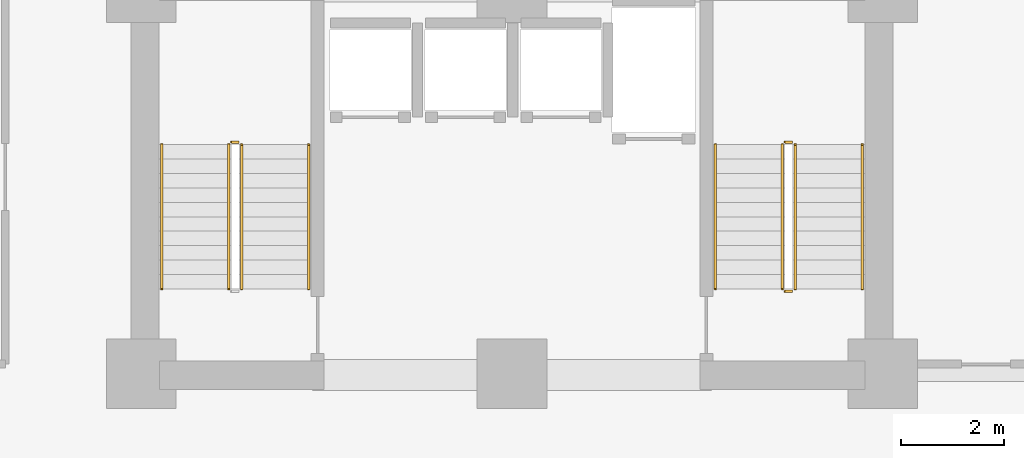
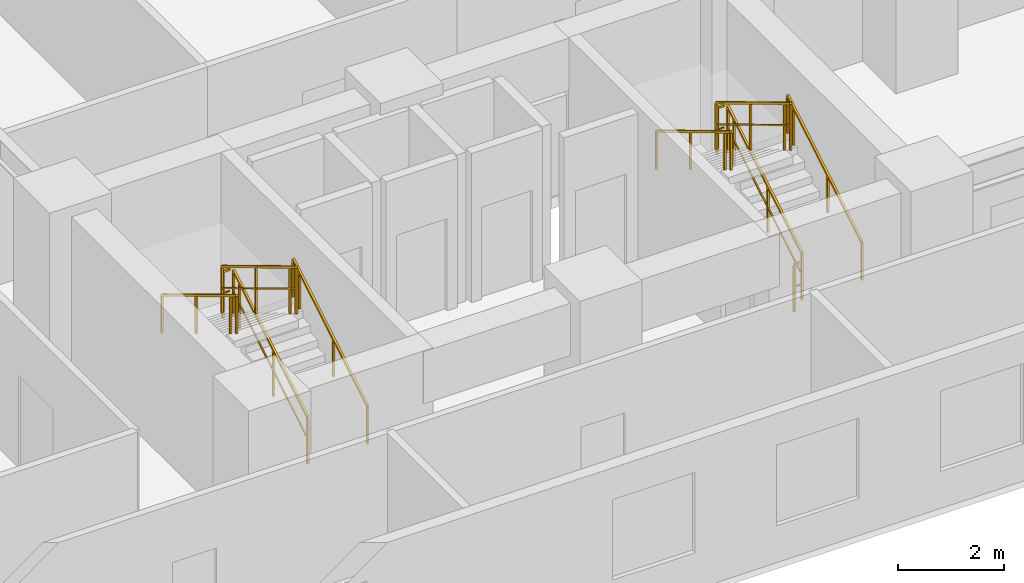
# One storey, part 10 of 11: 11 railings.
"""IFC4 building model written with IfcOpenShell, lengths in metres."""

from ifc_helpers import new_model, si_unit, direction, frame, origin, origin_2d, place, context, subcontext, project, spatial, rectangle, extrude, material, type_object, element, save


model = new_model("IFC4")

# Units and contexts
model_context = context("Model", 3, precision=1e-05, world=origin(), true_north=direction((0.0, 1.0)))
body_context = subcontext(model_context, "Body", "Model", "MODEL_VIEW")
ifc_project = project(units=[si_unit("LENGTHUNIT", "METRE"), si_unit("AREAUNIT", "SQUARE_METRE"), si_unit("VOLUMEUNIT", "CUBIC_METRE"), si_unit("PLANEANGLEUNIT", "RADIAN"), si_unit("MASSUNIT", "GRAM", prefix="KILO")], contexts=[model_context])

# Site, building, storey
site_placement = place(None, origin())
site = spatial("IfcSite", under=ifc_project, at=site_placement, CompositionType="ELEMENT")
building_placement = place(site_placement, origin())
building = spatial("IfcBuilding", under=site, at=building_placement, Name="Kaliganga Portal Commons", CompositionType="ELEMENT")
storey_placement = place(building_placement, frame((0.0, 0.0, 40.10009765625)))
storey = spatial("IfcBuildingStorey", under=building, at=storey_placement, Name="L09", CompositionType="ELEMENT", Elevation=40.10009765625)

# Railings
ifc_material_1 = material(Name="Galvanized Painted Steel Balustrade", Category="steel")
railing_type_1 = type_object("IfcRailingType", Name="RLG-STAIR-GRD", PredefinedType="GUARDRAIL", material=ifc_material_1)
railing_1_placement = place(storey_placement, frame((37.949951171875, 8.699951171875, 0.16796875)))
element("IfcRailing", 1, at=railing_1_placement, inside=storey, type_object=railing_type_1, Name="L09 ST-B1 stair guard 1", PredefinedType="GUARDRAIL", context=body_context, shape_type="SweptSolid", body=[
    extrude(rectangle(XDim=0.048095703125, YDim=0.048095703125, at=origin_2d()), frame((0.0, 0.0, 1.072021484375), z_axis=(0.0, 0.857242210791, 0.514913383045), x_axis=(-1.0, 0.0, 0.0)), (0.0, 0.0, 1.0), 3.266357421875),
    extrude(rectangle(XDim=0.028076171875, YDim=0.028076171875, at=origin_2d()), frame((0.0, 0.0, 0.572021484375), z_axis=(0.0, 0.857242210791, 0.514913383045), x_axis=(-1.0, 0.0, 0.0)), (0.0, 0.0, 1.0), 3.266357421875),
    extrude(rectangle(XDim=0.0419921875, YDim=0.0419921875, at=origin_2d()), origin(), (0.0, 0.0, 1.0), 1.052001953125),
    extrude(rectangle(XDim=0.0419921875, YDim=0.0419921875, at=origin_2d()), frame((0.0, 1.285888671875, 0.7724609375)), (0.0, 0.0, 1.0), 1.052001953125),
    extrude(rectangle(XDim=0.0419921875, YDim=0.0419921875, at=origin_2d()), frame((0.0, 2.57177734375, 1.544677734375)), (0.0, 0.0, 1.0), 1.052001953125),
    extrude(rectangle(XDim=0.0419921875, YDim=0.0419921875, at=origin_2d()), frame((0.0, 2.800048828125, 1.681884765625)), (0.0, 0.0, 1.0), 1.052001953125),
])
railing_2_placement = place(storey_placement, frame((37.89990234375, 11.550048828125, 1.849853515625)))
element("IfcRailing", 2, at=railing_2_placement, inside=storey, type_object=railing_type_1, Name="L09 ST-B1 stair guard 2", PredefinedType="GUARDRAIL", context=body_context, shape_type="SweptSolid", body=[
    extrude(rectangle(XDim=0.048095703125, YDim=0.048095703125, at=origin_2d()), frame((0.0, 0.0, 1.076171875), z_axis=(-1.0, 0.0, 0.0), x_axis=(0.0, -1.0, 0.0)), (0.0, 0.0, 1.0), 0.14990234375),
    extrude(rectangle(XDim=0.028076171875, YDim=0.028076171875, at=origin_2d()), frame((0.0, 0.0, 0.572021484375), z_axis=(-1.0, 0.0, 0.0), x_axis=(0.0, -1.0, 0.0)), (0.0, 0.0, 1.0), 0.14990234375),
    extrude(rectangle(XDim=0.0419921875, YDim=0.0419921875, at=origin_2d()), frame((-0.14990234375, 0.0, 0.0)), (0.0, 0.0, 1.0), 1.052001953125),
])
railing_3_placement = place(storey_placement, frame((37.699951171875, 11.5, 2.01806640625)))
element("IfcRailing", 3, at=railing_3_placement, inside=storey, type_object=railing_type_1, Name="L09 ST-B1 stair guard 3", PredefinedType="GUARDRAIL", context=body_context, shape_type="SweptSolid", body=[
    extrude(rectangle(XDim=0.048095703125, YDim=0.048095703125, at=origin_2d()), frame((0.0, 0.0, 1.072021484375), z_axis=(0.0, -0.857242210791, 0.514913383045), x_axis=(1.0, 0.0, 0.0)), (0.0, 0.0, 1.0), 3.266357421875),
    extrude(rectangle(XDim=0.028076171875, YDim=0.028076171875, at=origin_2d()), frame((0.0, 0.0, 0.572021484375), z_axis=(0.0, -0.857242210791, 0.514913383045), x_axis=(1.0, 0.0, 0.0)), (0.0, 0.0, 1.0), 3.266357421875),
    extrude(rectangle(XDim=0.0419921875, YDim=0.0419921875, at=origin_2d()), origin(), (0.0, 0.0, 1.0), 1.052001953125),
    extrude(rectangle(XDim=0.0419921875, YDim=0.0419921875, at=origin_2d()), frame((0.0, -1.285888671875, 0.7724609375)), (0.0, 0.0, 1.0), 1.052001953125),
    extrude(rectangle(XDim=0.0419921875, YDim=0.0419921875, at=origin_2d()), frame((0.0, -2.57177734375, 1.544677734375)), (0.0, 0.0, 1.0), 1.052001953125),
    extrude(rectangle(XDim=0.0419921875, YDim=0.0419921875, at=origin_2d()), frame((0.0, -2.800048828125, 1.681884765625)), (0.0, 0.0, 1.0), 1.052001953125),
])
railing_4_placement = place(storey_placement, frame((48.699951171875, 8.699951171875, 0.16796875)))
element("IfcRailing", 4, at=railing_4_placement, inside=storey, type_object=railing_type_1, Name="L09 ST-B2 stair guard 1", PredefinedType="GUARDRAIL", context=body_context, shape_type="SweptSolid", body=[
    extrude(rectangle(XDim=0.048095703125, YDim=0.048095703125, at=origin_2d()), frame((0.0, 0.0, 1.072021484375), z_axis=(0.0, 0.857242210791, 0.514913383045), x_axis=(-1.0, 0.0, 0.0)), (0.0, 0.0, 1.0), 3.266357421875),
    extrude(rectangle(XDim=0.028076171875, YDim=0.028076171875, at=origin_2d()), frame((0.0, 0.0, 0.572021484375), z_axis=(0.0, 0.857242210791, 0.514913383045), x_axis=(-1.0, 0.0, 0.0)), (0.0, 0.0, 1.0), 3.266357421875),
    extrude(rectangle(XDim=0.0419921875, YDim=0.0419921875, at=origin_2d()), origin(), (0.0, 0.0, 1.0), 1.052001953125),
    extrude(rectangle(XDim=0.0419921875, YDim=0.0419921875, at=origin_2d()), frame((0.0, 1.285888671875, 0.7724609375)), (0.0, 0.0, 1.0), 1.052001953125),
    extrude(rectangle(XDim=0.0419921875, YDim=0.0419921875, at=origin_2d()), frame((0.0, 2.57177734375, 1.544677734375)), (0.0, 0.0, 1.0), 1.052001953125),
    extrude(rectangle(XDim=0.0419921875, YDim=0.0419921875, at=origin_2d()), frame((0.0, 2.800048828125, 1.681884765625)), (0.0, 0.0, 1.0), 1.052001953125),
])
railing_5_placement = place(storey_placement, frame((48.64990234375, 11.550048828125, 1.849853515625)))
element("IfcRailing", 5, at=railing_5_placement, inside=storey, type_object=railing_type_1, Name="L09 ST-B2 stair guard 2", PredefinedType="GUARDRAIL", context=body_context, shape_type="SweptSolid", body=[
    extrude(rectangle(XDim=0.048095703125, YDim=0.048095703125, at=origin_2d()), frame((0.0, 0.0, 1.076171875), z_axis=(-1.0, 0.0, 0.0), x_axis=(0.0, -1.0, 0.0)), (0.0, 0.0, 1.0), 0.14990234375),
    extrude(rectangle(XDim=0.028076171875, YDim=0.028076171875, at=origin_2d()), frame((0.0, 0.0, 0.572021484375), z_axis=(-1.0, 0.0, 0.0), x_axis=(0.0, -1.0, 0.0)), (0.0, 0.0, 1.0), 0.14990234375),
    extrude(rectangle(XDim=0.0419921875, YDim=0.0419921875, at=origin_2d()), frame((-0.14990234375, 0.0, 0.0)), (0.0, 0.0, 1.0), 1.052001953125),
])
railing_6_placement = place(storey_placement, frame((48.449951171875, 11.5, 2.01806640625)))
element("IfcRailing", 6, at=railing_6_placement, inside=storey, type_object=railing_type_1, Name="L09 ST-B2 stair guard 3", PredefinedType="GUARDRAIL", context=body_context, shape_type="SweptSolid", body=[
    extrude(rectangle(XDim=0.048095703125, YDim=0.048095703125, at=origin_2d()), frame((0.0, 0.0, 1.072021484375), z_axis=(0.0, -0.857242210791, 0.514913383045), x_axis=(1.0, 0.0, 0.0)), (0.0, 0.0, 1.0), 3.266357421875),
    extrude(rectangle(XDim=0.028076171875, YDim=0.028076171875, at=origin_2d()), frame((0.0, 0.0, 0.572021484375), z_axis=(0.0, -0.857242210791, 0.514913383045), x_axis=(1.0, 0.0, 0.0)), (0.0, 0.0, 1.0), 3.266357421875),
    extrude(rectangle(XDim=0.0419921875, YDim=0.0419921875, at=origin_2d()), origin(), (0.0, 0.0, 1.0), 1.052001953125),
    extrude(rectangle(XDim=0.0419921875, YDim=0.0419921875, at=origin_2d()), frame((0.0, -1.285888671875, 0.7724609375)), (0.0, 0.0, 1.0), 1.052001953125),
    extrude(rectangle(XDim=0.0419921875, YDim=0.0419921875, at=origin_2d()), frame((0.0, -2.57177734375, 1.544677734375)), (0.0, 0.0, 1.0), 1.052001953125),
    extrude(rectangle(XDim=0.0419921875, YDim=0.0419921875, at=origin_2d()), frame((0.0, -2.800048828125, 1.681884765625)), (0.0, 0.0, 1.0), 1.052001953125),
])
railing_7_placement = place(storey_placement, frame((48.64990234375, 8.64990234375, 0.0)))
element("IfcRailing", 7, at=railing_7_placement, inside=storey, type_object=railing_type_1, Name="L09 ST-B2 stair guard 4", PredefinedType="GUARDRAIL", context=body_context, shape_type="SweptSolid", body=[
    extrude(rectangle(XDim=0.048095703125, YDim=0.048095703125, at=origin_2d()), frame((0.0, 0.0, 1.076171875), z_axis=(-1.0, 0.0, 0.0), x_axis=(0.0, -1.0, 0.0)), (0.0, 0.0, 1.0), 0.14990234375),
    extrude(rectangle(XDim=0.028076171875, YDim=0.028076171875, at=origin_2d()), frame((0.0, 0.0, 0.572021484375), z_axis=(-1.0, 0.0, 0.0), x_axis=(0.0, -1.0, 0.0)), (0.0, 0.0, 1.0), 0.14990234375),
    extrude(rectangle(XDim=0.0419921875, YDim=0.0419921875, at=origin_2d()), frame((-0.14990234375, 0.0, 0.0)), (0.0, 0.0, 1.0), 1.052001953125),
])
ifc_material_2 = material(Name="Brushed Stainless Steel 316", Category="steel")
railing_type_2 = type_object("IfcRailingType", Name="RLG-STAIR-HR", PredefinedType="HANDRAIL", material=ifc_material_2)
railing_8_placement = place(storey_placement, frame((39.25, 8.699951171875, 0.16796875)))
element("IfcRailing", 8, at=railing_8_placement, inside=storey, type_object=railing_type_2, Name="L09 ST-B1 stair handrail 1", PredefinedType="HANDRAIL", context=body_context, shape_type="SweptSolid", body=[
    extrude(rectangle(XDim=0.048095703125, YDim=0.048095703125, at=origin_2d()), frame((0.0, 0.0, 0.871826171875), z_axis=(0.0, 0.857242210791, 0.514913383045), x_axis=(-1.0, 0.0, 0.0)), (0.0, 0.0, 1.0), 3.266357421875),
    extrude(rectangle(XDim=0.0419921875, YDim=0.0419921875, at=origin_2d()), origin(), (0.0, 0.0, 1.0), 0.851806640625),
    extrude(rectangle(XDim=0.0419921875, YDim=0.0419921875, at=origin_2d()), frame((0.0, 1.285888671875, 0.7724609375)), (0.0, 0.0, 1.0), 0.851806640625),
    extrude(rectangle(XDim=0.0419921875, YDim=0.0419921875, at=origin_2d()), frame((0.0, 2.57177734375, 1.544677734375)), (0.0, 0.0, 1.0), 0.851806640625),
    extrude(rectangle(XDim=0.0419921875, YDim=0.0419921875, at=origin_2d()), frame((0.0, 2.800048828125, 1.681884765625)), (0.0, 0.0, 1.0), 0.851806640625),
])
railing_9_placement = place(storey_placement, frame((36.39990234375, 11.5, 2.01806640625)))
element("IfcRailing", 9, at=railing_9_placement, inside=storey, type_object=railing_type_2, Name="L09 ST-B1 stair handrail 2", PredefinedType="HANDRAIL", context=body_context, shape_type="SweptSolid", body=[
    extrude(rectangle(XDim=0.048095703125, YDim=0.048095703125, at=origin_2d()), frame((0.0, 0.0, 0.871826171875), z_axis=(0.0, -0.857242210791, 0.514913383045), x_axis=(1.0, 0.0, 0.0)), (0.0, 0.0, 1.0), 3.266357421875),
    extrude(rectangle(XDim=0.0419921875, YDim=0.0419921875, at=origin_2d()), origin(), (0.0, 0.0, 1.0), 0.851806640625),
    extrude(rectangle(XDim=0.0419921875, YDim=0.0419921875, at=origin_2d()), frame((0.0, -1.285888671875, 0.7724609375)), (0.0, 0.0, 1.0), 0.851806640625),
    extrude(rectangle(XDim=0.0419921875, YDim=0.0419921875, at=origin_2d()), frame((0.0, -2.57177734375, 1.544677734375)), (0.0, 0.0, 1.0), 0.851806640625),
    extrude(rectangle(XDim=0.0419921875, YDim=0.0419921875, at=origin_2d()), frame((0.0, -2.800048828125, 1.681884765625)), (0.0, 0.0, 1.0), 0.851806640625),
])
railing_10_placement = place(storey_placement, frame((50.0, 8.699951171875, 0.16796875)))
element("IfcRailing", 10, at=railing_10_placement, inside=storey, type_object=railing_type_2, Name="L09 ST-B2 stair handrail 1", PredefinedType="HANDRAIL", context=body_context, shape_type="SweptSolid", body=[
    extrude(rectangle(XDim=0.048095703125, YDim=0.048095703125, at=origin_2d()), frame((0.0, 0.0, 0.871826171875), z_axis=(0.0, 0.857242210791, 0.514913383045), x_axis=(-1.0, 0.0, 0.0)), (0.0, 0.0, 1.0), 3.266357421875),
    extrude(rectangle(XDim=0.0419921875, YDim=0.0419921875, at=origin_2d()), origin(), (0.0, 0.0, 1.0), 0.851806640625),
    extrude(rectangle(XDim=0.0419921875, YDim=0.0419921875, at=origin_2d()), frame((0.0, 1.285888671875, 0.7724609375)), (0.0, 0.0, 1.0), 0.851806640625),
    extrude(rectangle(XDim=0.0419921875, YDim=0.0419921875, at=origin_2d()), frame((0.0, 2.57177734375, 1.544677734375)), (0.0, 0.0, 1.0), 0.851806640625),
    extrude(rectangle(XDim=0.0419921875, YDim=0.0419921875, at=origin_2d()), frame((0.0, 2.800048828125, 1.681884765625)), (0.0, 0.0, 1.0), 0.851806640625),
])
railing_11_placement = place(storey_placement, frame((47.14990234375, 11.5, 2.01806640625)))
element("IfcRailing", 11, at=railing_11_placement, inside=storey, type_object=railing_type_2, Name="L09 ST-B2 stair handrail 2", PredefinedType="HANDRAIL", context=body_context, shape_type="SweptSolid", body=[
    extrude(rectangle(XDim=0.048095703125, YDim=0.048095703125, at=origin_2d()), frame((0.0, 0.0, 0.871826171875), z_axis=(0.0, -0.857242210791, 0.514913383045), x_axis=(1.0, 0.0, 0.0)), (0.0, 0.0, 1.0), 3.266357421875),
    extrude(rectangle(XDim=0.0419921875, YDim=0.0419921875, at=origin_2d()), origin(), (0.0, 0.0, 1.0), 0.851806640625),
    extrude(rectangle(XDim=0.0419921875, YDim=0.0419921875, at=origin_2d()), frame((0.0, -1.285888671875, 0.7724609375)), (0.0, 0.0, 1.0), 0.851806640625),
    extrude(rectangle(XDim=0.0419921875, YDim=0.0419921875, at=origin_2d()), frame((0.0, -2.57177734375, 1.544677734375)), (0.0, 0.0, 1.0), 0.851806640625),
    extrude(rectangle(XDim=0.0419921875, YDim=0.0419921875, at=origin_2d()), frame((0.0, -2.800048828125, 1.681884765625)), (0.0, 0.0, 1.0), 0.851806640625),
])

save(model, "model.ifc")
